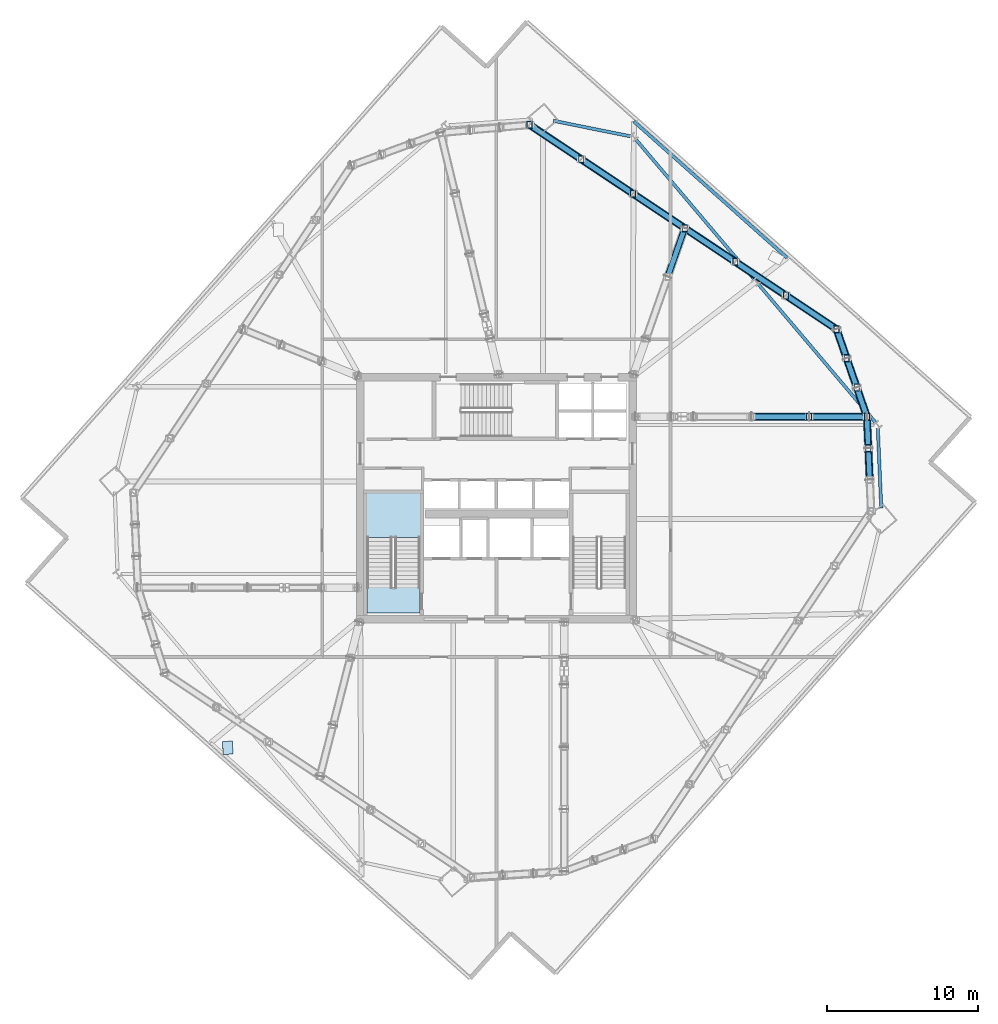
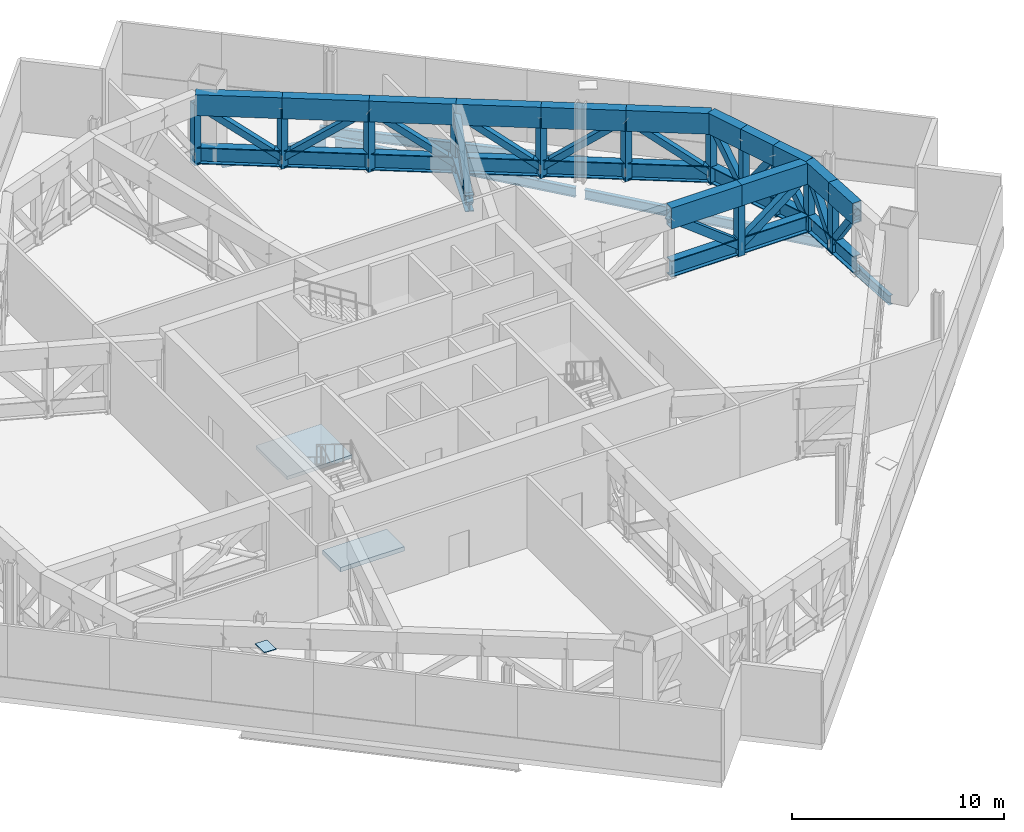
# One storey, part 6 of 18: 53 members, 5 beams, 2 slabs, 1 plate, 1 element without a shape of its own.
"""IFC4 building model written with IfcOpenShell, lengths in metres."""

from ifc_helpers import new_model, si_unit, direction, frame, origin, origin_2d, place, context, subcontext, project, spatial, polyline, rectangle, hollow_rectangle, i_section, outline, extrude, source, transform, mapped, material, layer, layer_set, material_profile, profile_set, type_object, element, aggregate, save


model = new_model("IFC4")

# Units and contexts
model_context = context("Model", 3, precision=1e-05, world=origin(), true_north=direction((0.0, 1.0)))
body_context = subcontext(model_context, "Body", "Model", "MODEL_VIEW")
ifc_project = project(units=[si_unit("LENGTHUNIT", "METRE"), si_unit("AREAUNIT", "SQUARE_METRE"), si_unit("VOLUMEUNIT", "CUBIC_METRE"), si_unit("PLANEANGLEUNIT", "RADIAN"), si_unit("MASSUNIT", "GRAM", prefix="KILO")], contexts=[model_context])

# Site, building, storey
site_placement = place(None, origin())
site = spatial("IfcSite", under=ifc_project, at=site_placement, CompositionType="ELEMENT")
building_placement = place(site_placement, origin())
building = spatial("IfcBuilding", under=site, at=building_placement, Name="Haldenkirk Collegiate Tower", CompositionType="ELEMENT")
storey_placement = place(building_placement, frame((0.0, 0.0, 189.449951171875)))
storey = spatial("IfcBuildingStorey", under=building, at=storey_placement, Name="L47", CompositionType="ELEMENT", Elevation=189.449951171875)

# Beams
ifc_material_1 = material(Name="Steel ASTM A992 Grade 50", Category="steel")
ifc_material_profile_1 = material_profile(ifc_material_1, i_section(OverallWidth=0.2119140625, OverallDepth=0.5439453125, WebThickness=0.01318359375, FlangeThickness=0.021240234375, at=origin_2d()), Name="W21X83")
ifc_profile_set_1 = profile_set([ifc_material_profile_1], Name="Steel ASTM A992 Grade 50")
beam_type = type_object("IfcBeamType", Name="BM-SPANDREL-W21X83", PredefinedType="SPANDREL", material=ifc_profile_set_1)
beam_1_placement = place(storey_placement, frame((61.434814453125, 25.33349609375, -0.681884765625), z_axis=(-0.042833703015, 0.999082215779, 0.0), x_axis=(-0.999082215779, -0.042833703015, 0.0)))
element("IfcBeam", 1, at=beam_1_placement, inside=storey, type_object=beam_type, Name="L47 perimeter spandrel beam 05", PredefinedType="SPANDREL", context=body_context, shape_type="SweptSolid", body=[
    extrude(i_section(OverallWidth=0.2119140625, OverallDepth=0.5439453125, WebThickness=0.01318359375, FlangeThickness=0.021240234375, at=origin_2d()), origin(), (0.0, 0.0, 1.0), 5.2666015625),
])
beam_2_placement = place(storey_placement, frame((61.051513671875, 30.998779296875, -0.681884765625), z_axis=(-0.646116898468, 0.763238464383, 0.0), x_axis=(-0.763238464383, -0.646116898468, 0.0)))
element("IfcBeam", 2, at=beam_2_placement, inside=storey, type_object=beam_type, Name="L47 perimeter spandrel beam 06", PredefinedType="SPANDREL", context=body_context, shape_type="SweptSolid", body=[
    extrude(i_section(OverallWidth=0.2119140625, OverallDepth=0.5439453125, WebThickness=0.01318359375, FlangeThickness=0.021240234375, at=origin_2d()), origin(), (0.0, 0.0, 1.0), 11.967041015625),
])
beam_3_placement = place(storey_placement, frame((53.023193359375, 40.482177734375, -0.681884765625), z_axis=(-0.646126367676, 0.763230448157, 0.0), x_axis=(-0.763230448157, -0.646126367676, 0.0)))
element("IfcBeam", 3, at=beam_3_placement, inside=storey, type_object=beam_type, Name="L47 perimeter spandrel beam 07", PredefinedType="SPANDREL", context=body_context, shape_type="SweptSolid", body=[
    extrude(i_section(OverallWidth=0.2119140625, OverallDepth=0.5439453125, WebThickness=0.01318359375, FlangeThickness=0.021240234375, at=origin_2d()), origin(), (0.0, 0.0, 1.0), 12.06494140625),
])
beam_4_placement = place(storey_placement, frame((44.85546875, 49.910400390625, -0.681884765625), z_axis=(-0.980286465062, 0.197581493102, 0.0), x_axis=(-0.197581493102, -0.980286465062, 0.0)))
element("IfcBeam", 4, at=beam_4_placement, inside=storey, type_object=beam_type, Name="L47 perimeter spandrel beam 08", PredefinedType="SPANDREL", context=body_context, shape_type="SweptSolid", body=[
    extrude(i_section(OverallWidth=0.2119140625, OverallDepth=0.5439453125, WebThickness=0.01318359375, FlangeThickness=0.021240234375, at=origin_2d()), origin(), (0.0, 0.0, 1.0), 5.189697265625),
])
beam_5_placement = place(storey_placement, frame((55.204833984375, 41.876953125, -0.681884765625), z_axis=(-0.746634629282, 0.665234342437, 0.0), x_axis=(-0.665234342437, -0.746634629282, 0.0)))
element("IfcBeam", 5, at=beam_5_placement, inside=storey, type_object=beam_type, Name="L47 outer facade edge beam 2", PredefinedType="SPANDREL", context=body_context, shape_type="SweptSolid", body=[
    extrude(i_section(OverallWidth=0.2119140625, OverallDepth=0.5439453125, WebThickness=0.01318359375, FlangeThickness=0.021240234375, at=origin_2d()), origin(), (0.0, 0.0, 1.0), 13.5537109375),
])

# Members
ifc_material_2 = material(Name="Steel ASTM A572 Grade 50", Category="steel")
ifc_material_profile_2 = material_profile(ifc_material_2, hollow_rectangle(XDim=0.5, YDim=1.199951171875, WallThickness=0.050048828125, at=origin_2d()), Name="BOX1200X500X50")
ifc_profile_set_2 = profile_set([ifc_material_profile_2], Name="Steel ASTM A572 Grade 50")
member_type_1 = type_object("IfcMemberType", Name="MBR-CHORD-BOX1200", PredefinedType="CHORD", material=ifc_profile_set_2)
for number, where, z_axis, x_axis, name in (
    (6, (52.84326171875, 31.3837890625, 3.489990234375), (1.0, 0.0, 0.0), (0.0, 1.0, 0.0), "Outrigger Truss L47 Radial 02 top chord 4"),
    (7, (56.664794921875, 31.3837890625, 3.489990234375), (1.0, 0.0, 0.0), (0.0, 1.0, 0.0), "Outrigger Truss L47 Radial 02 top chord 5"),
):
    element("IfcMember", number, at=place(storey_placement, frame(where, z_axis=z_axis, x_axis=x_axis)), inside=storey, type_object=member_type_1, Name=name, PredefinedType="CHORD", context=body_context, shape_type="SweptSolid", body=[
        extrude(hollow_rectangle(XDim=0.5, YDim=1.199951171875, WallThickness=0.050048828125, at=origin_2d()), origin(), (0.0, 0.0, 1.0), 3.821533203125),
    ])
member_1_placement = place(storey_placement, frame((60.672607421875, 27.21240234375, 3.489990234375), z_axis=(-0.044553630423, 0.999006993978, 0.0), x_axis=(-0.999006993978, -0.044553630423, 0.0)))
element("IfcMember", 8, at=member_1_placement, inside=storey, type_object=member_type_1, Name="Belt Truss L47-04 top chord 2", PredefinedType="CHORD", context=body_context, shape_type="SweptSolid", body=[
    extrude(hollow_rectangle(XDim=0.5, YDim=1.199951171875, WallThickness=0.050048828125, at=origin_2d()), origin(), (0.0, 0.0, 1.0), 2.087646484375),
])
member_2_placement = place(storey_placement, frame((60.57958984375, 29.298095703125, 3.489990234375), z_axis=(-0.044670336047, 0.999001782319, 0.0), x_axis=(-0.999001782319, -0.044670336047, 0.0)))
element("IfcMember", 9, at=member_2_placement, inside=storey, type_object=member_type_1, Name="Belt Truss L47-04 top chord 3", PredefinedType="CHORD", context=body_context, shape_type="SweptSolid", body=[
    extrude(hollow_rectangle(XDim=0.5, YDim=1.199951171875, WallThickness=0.050048828125, at=origin_2d()), origin(), (0.0, 0.0, 1.0), 2.087890625),
])
for number, where, z_axis, x_axis, name in (
    (10, (60.486328125, 31.3837890625, 3.489990234375), (-0.327805414699, 0.944745262012, 0.0), (-0.944745262012, -0.327805414699, 0.0), "Belt Truss L47-05 top chord 1"),
    (11, (59.81787109375, 33.310302734375, 3.489990234375), (-0.327805414699, 0.944745262012, 0.0), (-0.944745262012, -0.327805414699, 0.0), "Belt Truss L47-05 top chord 2"),
    (12, (59.1494140625, 35.23681640625, 3.489990234375), (-0.327768340877, 0.944758124982, 0.0), (-0.944758124982, -0.327768340877, 0.0), "Belt Truss L47-05 top chord 3"),
):
    element("IfcMember", number, at=place(storey_placement, frame(where, z_axis=z_axis, x_axis=x_axis)), inside=storey, type_object=member_type_1, Name=name, PredefinedType="CHORD", context=body_context, shape_type="SweptSolid", body=[
        extrude(hollow_rectangle(XDim=0.5, YDim=1.199951171875, WallThickness=0.050048828125, at=origin_2d()), origin(), (0.0, 0.0, 1.0), 2.039306640625),
    ])
member_3_placement = place(storey_placement, frame((58.48095703125, 37.16357421875, 3.489990234375), z_axis=(-0.832433388909, 0.554125123984, 0.0), x_axis=(-0.554125123984, -0.832433388909, 0.0)))
element("IfcMember", 13, at=member_3_placement, inside=storey, type_object=member_type_1, Name="Belt Truss L47-06 top chord 1", PredefinedType="CHORD", context=body_context, shape_type="SweptSolid", body=[
    extrude(hollow_rectangle(XDim=0.5, YDim=1.199951171875, WallThickness=0.050048828125, at=origin_2d()), origin(), (0.0, 0.0, 1.0), 4.017822265625),
])
member_4_placement = place(storey_placement, frame((55.136474609375, 39.389892578125, 3.489990234375), z_axis=(-0.832461418456, 0.554083014343, 0.0), x_axis=(-0.554083014343, -0.832461418456, 0.0)))
element("IfcMember", 14, at=member_4_placement, inside=storey, type_object=member_type_1, Name="Belt Truss L47-06 top chord 2", PredefinedType="CHORD", context=body_context, shape_type="SweptSolid", body=[
    extrude(hollow_rectangle(XDim=0.5, YDim=1.199951171875, WallThickness=0.050048828125, at=origin_2d()), origin(), (0.0, 0.0, 1.0), 4.017578125),
])
member_5_placement = place(storey_placement, frame((51.7919921875, 41.615966796875, 3.489990234375), z_axis=(-0.832433388909, 0.554125123984, 0.0), x_axis=(-0.554125123984, -0.832433388909, 0.0)))
element("IfcMember", 15, at=member_5_placement, inside=storey, type_object=member_type_1, Name="Belt Truss L47-06 top chord 3", PredefinedType="CHORD", context=body_context, shape_type="SweptSolid", body=[
    extrude(hollow_rectangle(XDim=0.5, YDim=1.199951171875, WallThickness=0.050048828125, at=origin_2d()), origin(), (0.0, 0.0, 1.0), 4.017822265625),
])
for number, where, z_axis, x_axis, name in (
    (16, (48.447509765625, 43.84228515625, 3.489990234375), (-0.832434267776, 0.554123803705, 0.0), (-0.554123803705, -0.832434267776, 0.0), "Belt Truss L47-07 top chord 1"),
    (17, (45.029296875, 46.11767578125, 3.489990234375), (-0.832434267776, 0.554123803705, 0.0), (-0.554123803705, -0.832434267776, 0.0), "Belt Truss L47-07 top chord 2"),
):
    element("IfcMember", number, at=place(storey_placement, frame(where, z_axis=z_axis, x_axis=x_axis)), inside=storey, type_object=member_type_1, Name=name, PredefinedType="CHORD", context=body_context, shape_type="SweptSolid", body=[
        extrude(hollow_rectangle(XDim=0.5, YDim=1.199951171875, WallThickness=0.050048828125, at=origin_2d()), origin(), (0.0, 0.0, 1.0), 4.106201171875),
    ])
member_6_placement = place(storey_placement, frame((41.611083984375, 48.39306640625, 3.489990234375), z_axis=(-0.832452522374, 0.554096379697, 0.0), x_axis=(-0.554096379697, -0.832452522374, 0.0)))
element("IfcMember", 18, at=member_6_placement, inside=storey, type_object=member_type_1, Name="Belt Truss L47-07 top chord 3", PredefinedType="CHORD", context=body_context, shape_type="SweptSolid", body=[
    extrude(hollow_rectangle(XDim=0.5, YDim=1.199951171875, WallThickness=0.050048828125, at=origin_2d()), origin(), (0.0, 0.0, 1.0), 4.1064453125),
])
ifc_material_3 = material(Name="Steel ASTM A913 Grade 65", Category="steel")
ifc_material_profile_3 = material_profile(ifc_material_3, i_section(OverallWidth=0.423095703125, OverallDepth=0.947998046875, WebThickness=0.02392578125, FlangeThickness=0.042724609375, at=origin_2d()), Name="W36X302")
ifc_profile_set_3 = profile_set([ifc_material_profile_3], Name="Steel ASTM A913 Grade 65")
member_type_2 = type_object("IfcMemberType", Name="MBR-CHORD-W36X302", PredefinedType="CHORD", material=ifc_profile_set_3)
for number, where, z_axis, x_axis, name in (
    (19, (52.84326171875, 31.3837890625, 0.550048828125), (1.0, 0.0, 0.0), (0.0, 1.0, 0.0), "Outrigger Truss L47 Radial 02 bottom chord 4"),
    (20, (56.664794921875, 31.3837890625, 0.550048828125), (1.0, 0.0, 0.0), (0.0, 1.0, 0.0), "Outrigger Truss L47 Radial 02 bottom chord 5"),
):
    element("IfcMember", number, at=place(storey_placement, frame(where, z_axis=z_axis, x_axis=x_axis)), inside=storey, type_object=member_type_2, Name=name, PredefinedType="CHORD", context=body_context, shape_type="SweptSolid", body=[
        extrude(i_section(OverallWidth=0.423095703125, OverallDepth=0.947998046875, WebThickness=0.02392578125, FlangeThickness=0.042724609375, at=origin_2d()), origin(), (0.0, 0.0, 1.0), 3.821533203125),
    ])
member_7_placement = place(storey_placement, frame((47.3203125, 40.62451171875, 0.550048828125), z_axis=(0.330605579326, 0.94376901354, 0.0), x_axis=(-0.94376901354, 0.330605579326, 0.0)))
element("IfcMember", 21, at=member_7_placement, inside=storey, type_object=member_type_2, Name="Outrigger Truss L47 Radial 06 bottom chord 3", PredefinedType="CHORD", context=body_context, shape_type="SweptSolid", body=[
    extrude(i_section(OverallWidth=0.423095703125, OverallDepth=0.947998046875, WebThickness=0.02392578125, FlangeThickness=0.042724609375, at=origin_2d()), origin(), (0.0, 0.0, 1.0), 3.409423828125),
])
member_8_placement = place(storey_placement, frame((60.672607421875, 27.21240234375, 0.550048828125), z_axis=(-0.044553630423, 0.999006993978, 0.0), x_axis=(-0.999006993978, -0.044553630423, 0.0)))
element("IfcMember", 22, at=member_8_placement, inside=storey, type_object=member_type_2, Name="Belt Truss L47-04 bottom chord 2", PredefinedType="CHORD", context=body_context, shape_type="SweptSolid", body=[
    extrude(i_section(OverallWidth=0.423095703125, OverallDepth=0.947998046875, WebThickness=0.02392578125, FlangeThickness=0.042724609375, at=origin_2d()), origin(), (0.0, 0.0, 1.0), 2.087646484375),
])
member_9_placement = place(storey_placement, frame((60.57958984375, 29.298095703125, 0.550048828125), z_axis=(-0.044670336047, 0.999001782319, 0.0), x_axis=(-0.999001782319, -0.044670336047, 0.0)))
element("IfcMember", 23, at=member_9_placement, inside=storey, type_object=member_type_2, Name="Belt Truss L47-04 bottom chord 3", PredefinedType="CHORD", context=body_context, shape_type="SweptSolid", body=[
    extrude(i_section(OverallWidth=0.423095703125, OverallDepth=0.947998046875, WebThickness=0.02392578125, FlangeThickness=0.042724609375, at=origin_2d()), origin(), (0.0, 0.0, 1.0), 2.087890625),
])
for number, where, z_axis, x_axis, name in (
    (24, (60.486328125, 31.3837890625, 0.550048828125), (-0.327805414699, 0.944745262012, 0.0), (-0.944745262012, -0.327805414699, 0.0), "Belt Truss L47-05 bottom chord 1"),
    (25, (59.81787109375, 33.310302734375, 0.550048828125), (-0.327805414699, 0.944745262012, 0.0), (-0.944745262012, -0.327805414699, 0.0), "Belt Truss L47-05 bottom chord 2"),
    (26, (59.1494140625, 35.23681640625, 0.550048828125), (-0.327768340877, 0.944758124982, 0.0), (-0.944758124982, -0.327768340877, 0.0), "Belt Truss L47-05 bottom chord 3"),
):
    element("IfcMember", number, at=place(storey_placement, frame(where, z_axis=z_axis, x_axis=x_axis)), inside=storey, type_object=member_type_2, Name=name, PredefinedType="CHORD", context=body_context, shape_type="SweptSolid", body=[
        extrude(i_section(OverallWidth=0.423095703125, OverallDepth=0.947998046875, WebThickness=0.02392578125, FlangeThickness=0.042724609375, at=origin_2d()), origin(), (0.0, 0.0, 1.0), 2.039306640625),
    ])
member_10_placement = place(storey_placement, frame((58.48095703125, 37.16357421875, 0.550048828125), z_axis=(-0.832433388909, 0.554125123984, 0.0), x_axis=(-0.554125123984, -0.832433388909, 0.0)))
element("IfcMember", 27, at=member_10_placement, inside=storey, type_object=member_type_2, Name="Belt Truss L47-06 bottom chord 1", PredefinedType="CHORD", context=body_context, shape_type="SweptSolid", body=[
    extrude(i_section(OverallWidth=0.423095703125, OverallDepth=0.947998046875, WebThickness=0.02392578125, FlangeThickness=0.042724609375, at=origin_2d()), origin(), (0.0, 0.0, 1.0), 4.017822265625),
])
member_11_placement = place(storey_placement, frame((55.136474609375, 39.389892578125, 0.550048828125), z_axis=(-0.832461418456, 0.554083014343, 0.0), x_axis=(-0.554083014343, -0.832461418456, 0.0)))
element("IfcMember", 28, at=member_11_placement, inside=storey, type_object=member_type_2, Name="Belt Truss L47-06 bottom chord 2", PredefinedType="CHORD", context=body_context, shape_type="SweptSolid", body=[
    extrude(i_section(OverallWidth=0.423095703125, OverallDepth=0.947998046875, WebThickness=0.02392578125, FlangeThickness=0.042724609375, at=origin_2d()), origin(), (0.0, 0.0, 1.0), 4.017578125),
])
member_12_placement = place(storey_placement, frame((51.7919921875, 41.615966796875, 0.550048828125), z_axis=(-0.832433388909, 0.554125123984, 0.0), x_axis=(-0.554125123984, -0.832433388909, 0.0)))
element("IfcMember", 29, at=member_12_placement, inside=storey, type_object=member_type_2, Name="Belt Truss L47-06 bottom chord 3", PredefinedType="CHORD", context=body_context, shape_type="SweptSolid", body=[
    extrude(i_section(OverallWidth=0.423095703125, OverallDepth=0.947998046875, WebThickness=0.02392578125, FlangeThickness=0.042724609375, at=origin_2d()), origin(), (0.0, 0.0, 1.0), 4.017822265625),
])
for number, where, z_axis, x_axis, name in (
    (30, (48.447509765625, 43.84228515625, 0.550048828125), (-0.832434267776, 0.554123803705, 0.0), (-0.554123803705, -0.832434267776, 0.0), "Belt Truss L47-07 bottom chord 1"),
    (31, (45.029296875, 46.11767578125, 0.550048828125), (-0.832434267776, 0.554123803705, 0.0), (-0.554123803705, -0.832434267776, 0.0), "Belt Truss L47-07 bottom chord 2"),
):
    element("IfcMember", number, at=place(storey_placement, frame(where, z_axis=z_axis, x_axis=x_axis)), inside=storey, type_object=member_type_2, Name=name, PredefinedType="CHORD", context=body_context, shape_type="SweptSolid", body=[
        extrude(i_section(OverallWidth=0.423095703125, OverallDepth=0.947998046875, WebThickness=0.02392578125, FlangeThickness=0.042724609375, at=origin_2d()), origin(), (0.0, 0.0, 1.0), 4.106201171875),
    ])
member_13_placement = place(storey_placement, frame((41.611083984375, 48.39306640625, 0.550048828125), z_axis=(-0.832452522374, 0.554096379697, 0.0), x_axis=(-0.554096379697, -0.832452522374, 0.0)))
element("IfcMember", 32, at=member_13_placement, inside=storey, type_object=member_type_2, Name="Belt Truss L47-07 bottom chord 3", PredefinedType="CHORD", context=body_context, shape_type="SweptSolid", body=[
    extrude(i_section(OverallWidth=0.423095703125, OverallDepth=0.947998046875, WebThickness=0.02392578125, FlangeThickness=0.042724609375, at=origin_2d()), origin(), (0.0, 0.0, 1.0), 4.1064453125),
])
ifc_material_profile_4 = material_profile(ifc_material_2, hollow_rectangle(XDim=0.35009765625, YDim=0.35009765625, WallThickness=0.01611328125, at=origin_2d()), Name="HSS350X350X16")
ifc_profile_set_4 = profile_set([ifc_material_profile_4], Name="Steel ASTM A572 Grade 50")
member_type_3 = type_object("IfcMemberType", Name="MBR-TRUSSDIAG-HSS350X350X16", PredefinedType="BRACE", material=ifc_profile_set_4)
member_14_placement = place(storey_placement, frame((60.672607421875, 27.21240234375, 3.489990234375), z_axis=(-0.025796425818, 0.578422219843, -0.815329553008), x_axis=(-0.999006993978, -0.044553630423, 0.0)))
element("IfcMember", 33, at=member_14_placement, inside=storey, type_object=member_type_3, Name="Belt Truss L47-04 web diagonal 2", PredefinedType="BRACE", context=body_context, shape_type="SweptSolid", body=[
    extrude(hollow_rectangle(XDim=0.35009765625, YDim=0.35009765625, WallThickness=0.01611328125, at=origin_2d()), origin(), (0.0, 0.0, 1.0), 3.605712890625),
])
member_15_placement = place(storey_placement, frame((60.57958984375, 29.298095703125, 0.550048828125), z_axis=(-0.025864087738, 0.578421208246, 0.815328127086), x_axis=(-0.999001782319, -0.044670336047, 0.0)))
element("IfcMember", 34, at=member_15_placement, inside=storey, type_object=member_type_3, Name="Belt Truss L47-04 web diagonal 3", PredefinedType="BRACE", context=body_context, shape_type="SweptSolid", body=[
    extrude(hollow_rectangle(XDim=0.35009765625, YDim=0.35009765625, WallThickness=0.01611328125, at=origin_2d()), origin(), (0.0, 0.0, 1.0), 3.60595703125),
])
for number, where, z_axis, x_axis, name in (
    (35, (60.486328125, 31.3837890625, 0.550048828125), (-0.186828143729, 0.53844444199, 0.821689009054), (-0.944745262012, -0.327805414699, 0.0), "Belt Truss L47-05 web diagonal 1"),
    (36, (59.81787109375, 33.310302734375, 3.489990234375), (-0.186828143729, 0.53844444199, -0.821689009054), (-0.944745262012, -0.327805414699, 0.0), "Belt Truss L47-05 web diagonal 2"),
):
    element("IfcMember", number, at=place(storey_placement, frame(where, z_axis=z_axis, x_axis=x_axis)), inside=storey, type_object=member_type_3, Name=name, PredefinedType="BRACE", context=body_context, shape_type="SweptSolid", body=[
        extrude(hollow_rectangle(XDim=0.35009765625, YDim=0.35009765625, WallThickness=0.01611328125, at=origin_2d()), origin(), (0.0, 0.0, 1.0), 3.577880859375),
    ])
member_16_placement = place(storey_placement, frame((59.1494140625, 35.23681640625, 0.550048828125), z_axis=(-0.186821279439, 0.538492891649, 0.821658819214), x_axis=(-0.944758124982, -0.327768340877, 0.0)))
element("IfcMember", 37, at=member_16_placement, inside=storey, type_object=member_type_3, Name="Belt Truss L47-05 web diagonal 3", PredefinedType="BRACE", context=body_context, shape_type="SweptSolid", body=[
    extrude(hollow_rectangle(XDim=0.35009765625, YDim=0.35009765625, WallThickness=0.01611328125, at=origin_2d()), origin(), (0.0, 0.0, 1.0), 3.578125),
])
member_17_placement = place(storey_placement, frame((58.48095703125, 37.16357421875, 0.550048828125), z_axis=(-0.671787202459, 0.447187933369, 0.590529344624), x_axis=(-0.554125123984, -0.832433388909, 0.0)))
element("IfcMember", 38, at=member_17_placement, inside=storey, type_object=member_type_3, Name="Belt Truss L47-06 web diagonal 1", PredefinedType="BRACE", context=body_context, shape_type="SweptSolid", body=[
    extrude(hollow_rectangle(XDim=0.35009765625, YDim=0.35009765625, WallThickness=0.01611328125, at=origin_2d()), origin(), (0.0, 0.0, 1.0), 4.978515625),
])
member_18_placement = place(storey_placement, frame((55.136474609375, 39.389892578125, 3.489990234375), z_axis=(-0.671801934236, 0.447148699639, -0.590542294479), x_axis=(-0.554083014343, -0.832461418456, 0.0)))
element("IfcMember", 39, at=member_18_placement, inside=storey, type_object=member_type_3, Name="Belt Truss L47-06 web diagonal 2", PredefinedType="BRACE", context=body_context, shape_type="SweptSolid", body=[
    extrude(hollow_rectangle(XDim=0.35009765625, YDim=0.35009765625, WallThickness=0.01611328125, at=origin_2d()), origin(), (0.0, 0.0, 1.0), 4.978271484375),
])
member_19_placement = place(storey_placement, frame((51.7919921875, 41.615966796875, 0.550048828125), z_axis=(-0.671787202459, 0.447187933369, 0.590529344624), x_axis=(-0.554125123984, -0.832433388909, 0.0)))
element("IfcMember", 40, at=member_19_placement, inside=storey, type_object=member_type_3, Name="Belt Truss L47-06 web diagonal 3", PredefinedType="BRACE", context=body_context, shape_type="SweptSolid", body=[
    extrude(hollow_rectangle(XDim=0.35009765625, YDim=0.35009765625, WallThickness=0.01611328125, at=origin_2d()), origin(), (0.0, 0.0, 1.0), 4.978515625),
])
for number, where, z_axis, x_axis, name in (
    (41, (48.447509765625, 43.84228515625, 0.550048828125), (-0.676842823717, 0.450551754664, 0.582139938805), (-0.554123803705, -0.832434267776, 0.0), "Belt Truss L47-07 web diagonal 1"),
    (42, (45.029296875, 46.11767578125, 3.489990234375), (-0.676842823717, 0.450551754664, -0.582139938805), (-0.554123803705, -0.832434267776, 0.0), "Belt Truss L47-07 web diagonal 2"),
    (43, (41.611083984375, 48.39306640625, 0.550048828125), (-0.676869018429, 0.450537012695, 0.582120891296), (-0.554096379697, -0.832452522374, 0.0), "Belt Truss L47-07 web diagonal 3"),
):
    element("IfcMember", number, at=place(storey_placement, frame(where, z_axis=z_axis, x_axis=x_axis)), inside=storey, type_object=member_type_3, Name=name, PredefinedType="BRACE", context=body_context, shape_type="SweptSolid", body=[
        extrude(hollow_rectangle(XDim=0.35009765625, YDim=0.35009765625, WallThickness=0.01611328125, at=origin_2d()), origin(), (0.0, 0.0, 1.0), 5.05029296875),
    ])
ifc_material_profile_5 = material_profile(ifc_material_2, hollow_rectangle(XDim=0.35009765625, YDim=0.449951171875, WallThickness=0.02197265625, at=origin_2d()), Name="HSS450X350X22")
ifc_profile_set_5 = profile_set([ifc_material_profile_5], Name="Steel ASTM A572 Grade 50")
member_type_4 = type_object("IfcMemberType", Name="MBR-TRUSSDIAG-HSS450X350X22", PredefinedType="BRACE", material=ifc_profile_set_5)
for number, where, z_axis, x_axis, name in (
    (44, (52.84326171875, 31.3837890625, 3.489990234375), (0.792593870505, 0.0, -0.609749913028), (0.0, 1.0, 0.0), "Outrigger Truss L47 Radial 02 web diagonal 4"),
    (45, (56.664794921875, 31.3837890625, 0.550048828125), (0.792593870505, 0.0, 0.609749913028), (0.0, 1.0, 0.0), "Outrigger Truss L47 Radial 02 web diagonal 5"),
):
    element("IfcMember", number, at=place(storey_placement, frame(where, z_axis=z_axis, x_axis=x_axis)), inside=storey, type_object=member_type_4, Name=name, PredefinedType="BRACE", context=body_context, shape_type="SweptSolid", body=[
        extrude(hollow_rectangle(XDim=0.35009765625, YDim=0.449951171875, WallThickness=0.02197265625, at=origin_2d()), origin(), (0.0, 0.0, 1.0), 4.821533203125),
    ])
member_20_placement = place(storey_placement, frame((47.3203125, 40.62451171875, 0.550048828125), z_axis=(0.250377675576, 0.714745021461, 0.653031832203), x_axis=(-0.94376901354, 0.330605579326, 0.0)))
element("IfcMember", 46, at=member_20_placement, inside=storey, type_object=member_type_4, Name="Outrigger Truss L47 Radial 06 web diagonal 3", PredefinedType="BRACE", context=body_context, shape_type="SweptSolid", body=[
    extrude(hollow_rectangle(XDim=0.35009765625, YDim=0.449951171875, WallThickness=0.02197265625, at=origin_2d()), origin(), (0.0, 0.0, 1.0), 4.501953125),
])
ifc_material_profile_6 = material_profile(ifc_material_2, hollow_rectangle(XDim=0.35009765625, YDim=0.449951171875, WallThickness=0.02197265625, at=origin_2d()), Name="HSS450X350X22")
ifc_profile_set_6 = profile_set([ifc_material_profile_6], Name="Steel ASTM A572 Grade 50")
member_type_5 = type_object("IfcMemberType", Name="MBR-TRUSSPOST-HSS450X350X22", PredefinedType="POST", material=ifc_profile_set_6)
for number, where, z_axis, x_axis, name in (
    (47, (56.664794921875, 31.3837890625, 0.0), (0.0, 0.0, 1.0), (1.0, 0.0, 0.0), "Outrigger Truss L47 Radial 02 vertical post 5"),
    (48, (60.486328125, 31.3837890625, 0.0), (0.0, 0.0, 1.0), (1.0, 0.0, 0.0), "Outrigger Truss L47 Radial 02 vertical post 6"),
    (49, (48.447509765625, 43.84228515625, 0.0), (0.0, 0.0, 1.0), (1.0, 0.0, 0.0), "Outrigger Truss L47 Radial 06 vertical post 4"),
    (50, (60.57958984375, 29.298095703125, 0.0), (0.0, 0.0, 1.0), (1.0, 0.0, 0.0), "Belt Truss L47-04 vertical post 3"),
    (51, (59.81787109375, 33.310302734375, 0.0), (0.0, 0.0, 1.0), (1.0, 0.0, 0.0), "Belt Truss L47-05 vertical post 2"),
    (52, (59.1494140625, 35.23681640625, 0.0), (0.0, 0.0, 1.0), (1.0, 0.0, 0.0), "Belt Truss L47-05 vertical post 3"),
    (53, (58.48095703125, 37.16357421875, 0.0), (0.0, 0.0, 1.0), (1.0, 0.0, 0.0), "Belt Truss L47-05 vertical post 4"),
    (54, (55.136474609375, 39.389892578125, 0.0), (0.0, 0.0, 1.0), (1.0, 0.0, 0.0), "Belt Truss L47-06 vertical post 2"),
    (55, (51.7919921875, 41.615966796875, 0.0), (0.0, 0.0, 1.0), (1.0, 0.0, 0.0), "Belt Truss L47-06 vertical post 3"),
    (56, (45.029296875, 46.11767578125, 0.0), (0.0, 0.0, 1.0), (1.0, 0.0, 0.0), "Belt Truss L47-07 vertical post 2"),
    (57, (41.611083984375, 48.39306640625, 0.0), (0.0, 0.0, 1.0), (1.0, 0.0, 0.0), "Belt Truss L47-07 vertical post 3"),
    (58, (38.192626953125, 50.66845703125, 0.0), (0.0, 0.0, 1.0), (1.0, 0.0, 0.0), "Belt Truss L47-07 vertical post 4"),
):
    element("IfcMember", number, at=place(storey_placement, frame(where, z_axis=z_axis, x_axis=x_axis)), inside=storey, type_object=member_type_5, Name=name, PredefinedType="POST", context=body_context, shape_type="SweptSolid", body=[
        extrude(hollow_rectangle(XDim=0.35009765625, YDim=0.449951171875, WallThickness=0.02197265625, at=origin_2d()), origin(), (0.0, 0.0, 1.0), 3.489990234375),
    ])

# Stair, slab
ifc_material_4 = material(Name="Concrete f'c 40 MPa", Category="concrete")
stair_type = type_object("IfcStairType", Name="STR-DOGLEG-1650", PredefinedType="HALF_TURN_STAIR", material=ifc_material_4)
stair_placement = place(storey_placement, origin())
stair = element("IfcStair", 59, at=stair_placement, inside=storey, type_object=stair_type, Name="L47 Core Exit Stair ST-1", PredefinedType="HALF_TURN_STAIR")
ifc_layer_1 = layer(ifc_material_4, 0.199951171875)
ifc_layer_set_1 = layer_set([ifc_layer_1], Name="Concrete f'c 40 MPa")
slab_type_1 = type_object("IfcSlabType", Name="SLB-LANDING-200", PredefinedType="LANDING", material=ifc_layer_set_1)
slab_1_placement = place(storey_placement, frame((0.0, 0.0, 2.050048828125)))
slab_1 = element("IfcSlab", 60, at=slab_1_placement, type_object=slab_type_1, Name="ST-1 landing 1", PredefinedType="LANDING", context=body_context, shape_type="SweptSolid", body=[
    extrude(outline(polyline([(30.97509765625, 23.385009765625), (27.425048828125, 23.385009765625), (27.425048828125, 26.324951171875), (30.97509765625, 26.324951171875), (30.97509765625, 23.385009765625)])), origin(), (0.0, 0.0, 1.0), 0.199951171875),
])
aggregate(stair, [slab_1])

# Slab
ifc_layer_2 = layer(ifc_material_4, 0.25)
ifc_layer_set_2 = layer_set([ifc_layer_2], Name="Concrete f'c 40 MPa")
slab_type_2 = type_object("IfcSlabType", Name="SLB-STAIRLAND-250", PredefinedType="LANDING", material=ifc_layer_set_2)
slab_2_placement = place(storey_placement, frame((0.0, 0.0, -0.25)))
element("IfcSlab", 61, at=slab_2_placement, inside=storey, type_object=slab_type_2, Name="L47 stair ST1 structural floor landing slab", PredefinedType="LANDING", context=body_context, shape_type="SweptSolid", body=[
    extrude(outline(polyline([(27.4599609375, 18.409912109375), (30.93994140625, 18.409912109375), (30.93994140625, 20.080078125), (27.4599609375, 20.080078125), (27.4599609375, 18.409912109375)])), origin(), (0.0, 0.0, 1.0), 0.25),
])

# Plate
ifc_layer_3 = layer(ifc_material_2, 0.034912109375)
ifc_layer_set_3 = layer_set([ifc_layer_3], Name="Steel ASTM A572 Grade 50")
plate_type = type_object("IfcPlateType", Name="PLT-CAP-EXT-760X600", PredefinedType="USERDEFINED", material=ifc_layer_set_3)
shared_shape = source(origin(), body_context, "Body", "SweptSolid", [
    extrude(rectangle(XDim=0.860107421875, YDim=0.659912109375, at=origin_2d()), origin(), (0.0, 0.0, 1.0), 0.034912109375),
])
plate_placement = place(storey_placement, frame((18.243896484375, 9.500732421875, 4.0771484375), z_axis=(0.050347994228, 0.001302999851, 0.998730885508), x_axis=(-0.02587200481, 0.999665263659, 3.991e-08)))
element("IfcPlate", 62, at=plate_placement, inside=storey, type_object=plate_type, Name="Perimeter Mega Brace Z3 L45-L47 WL end cap plate 2", ObjectType="END CAP PLATE", PredefinedType="USERDEFINED", context=body_context, shape_type="MappedRepresentation", body=[
    mapped(shared_shape, transform((0.0, 0.0, 0.0), x_axis=(1.0, 0.0, 0.0), y_axis=(0.0, 1.0, 0.0), z_axis=(0.0, 0.0, 1.0), scale=1.0)),
])

save(model, "model.ifc")
